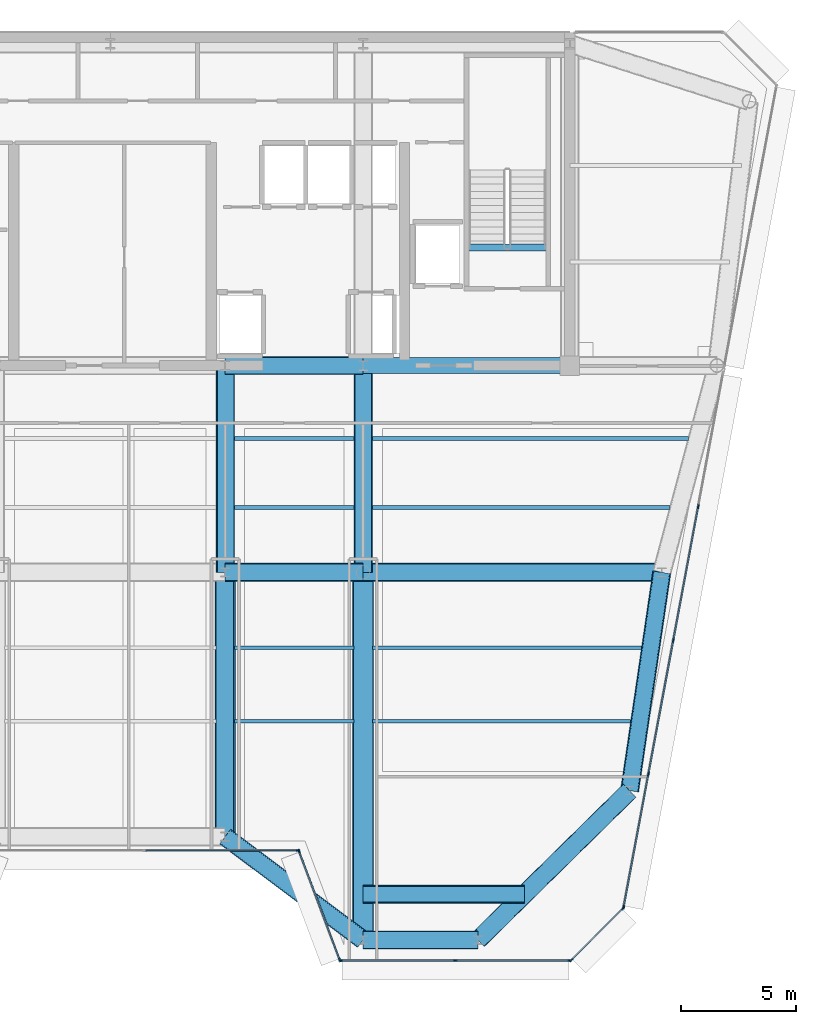
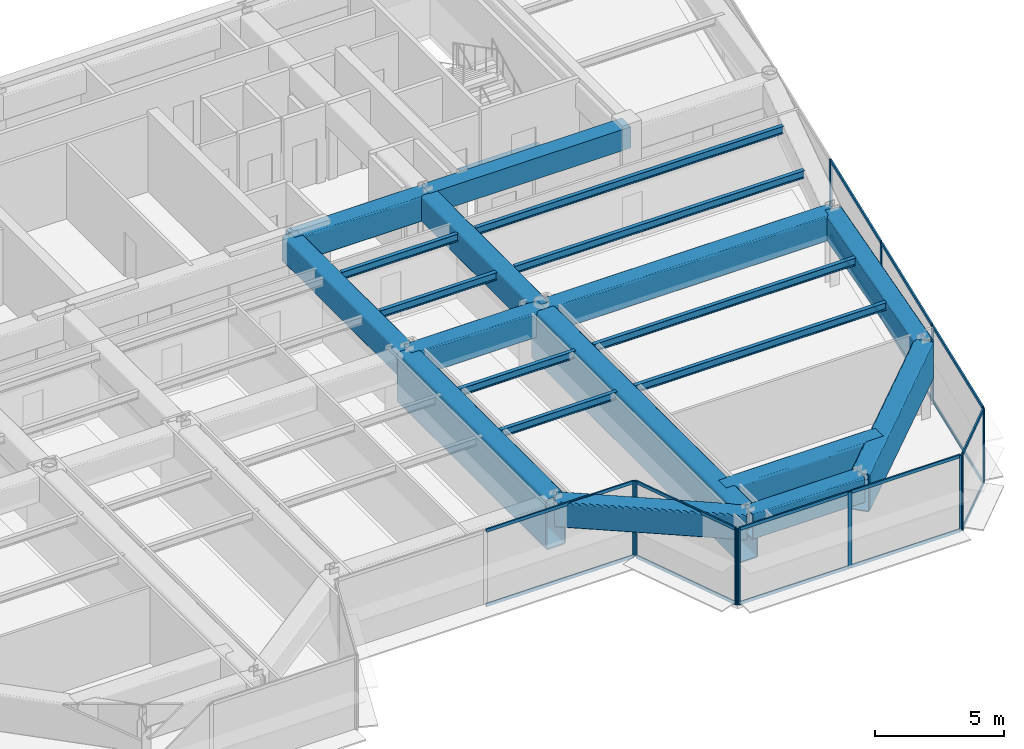
# One storey, part 5 of 18: 28 members, 22 beams, 5 elements without a shape of their own.
"""IFC4 building model written with IfcOpenShell, lengths in metres."""

from ifc_helpers import new_model, si_unit, direction, frame, origin, origin_2d, place, context, subcontext, project, spatial, rectangle, hollow_rectangle, i_section, extrude, source, transform, mapped, material, layer, layer_set, material_profile, profile_set, type_object, element, aggregate, save


model = new_model("IFC4")

# Units and contexts
model_context = context("Model", 3, precision=1e-05, world=origin(), true_north=direction((0.0, 1.0)))
body_context = subcontext(model_context, "Body", "Model", "MODEL_VIEW")
ifc_project = project(units=[si_unit("LENGTHUNIT", "METRE"), si_unit("AREAUNIT", "SQUARE_METRE"), si_unit("VOLUMEUNIT", "CUBIC_METRE"), si_unit("PLANEANGLEUNIT", "RADIAN"), si_unit("MASSUNIT", "GRAM", prefix="KILO")], contexts=[model_context])

# Site, building, storey
site_placement = place(None, origin())
site = spatial("IfcSite", under=ifc_project, at=site_placement, CompositionType="ELEMENT")
building_placement = place(site_placement, origin())
building = spatial("IfcBuilding", under=site, at=building_placement, Name="Vaeldorn Concourse Tower", CompositionType="ELEMENT")
storey_placement = place(building_placement, frame((0.0, 0.0, 265.0)))
storey = spatial("IfcBuildingStorey", under=building, at=storey_placement, Name="L68", CompositionType="ELEMENT", Elevation=265.0)

# Beams
ifc_material_1 = material(Name="Concrete C50/60", Category="concrete")
ifc_material_profile_1 = material_profile(ifc_material_1, rectangle(XDim=0.699951171875, YDim=1.0, at=origin_2d()), Name="RC 700x1000")
ifc_profile_set_1 = profile_set([ifc_material_profile_1], Name="Concrete C50/60")
beam_type_1 = type_object("IfcBeamType", Name="BM-CB-RC700", PredefinedType="BEAM", material=ifc_profile_set_1)
shared_shape_1 = source(origin(), body_context, "Body", "SweptSolid", [
    extrude(rectangle(XDim=0.699951171875, YDim=1.0, at=origin_2d()), origin(), (0.0, 0.0, 1.0), 9.0),
])
beam_1_placement = place(storey_placement, frame((45.0, 36.5, 3.080078125), z_axis=(1.0, 0.0, 0.0), x_axis=(0.0, 1.0, 0.0)))
element("IfcBeam", 1, at=beam_1_placement, inside=storey, type_object=beam_type_1, Name="Core Coupling Beam L68-2", PredefinedType="BEAM", context=body_context, shape_type="MappedRepresentation", body=[
    mapped(shared_shape_1, transform((0.0, 0.0, 0.0), scale=1.0)),
])
ifc_material_2 = material(Name="Steel S355", Category="steel")
ifc_material_profile_2 = material_profile(ifc_material_2, i_section(OverallWidth=0.300048828125, OverallDepth=0.340087890625, WebThickness=0.011962890625, FlangeThickness=0.021484375, FilletRadius=0.027099609375, at=origin_2d()), Name="HEB 340")
ifc_profile_set_2 = profile_set([ifc_material_profile_2], Name="Steel S355")
beam_type_2 = type_object("IfcBeamType", Name="BM-ST-TRIM", PredefinedType="BEAM", material=ifc_profile_set_2)
shared_shape_2 = source(origin(), body_context, "Body", "SweptSolid", [
    extrude(i_section(OverallWidth=0.300048828125, OverallDepth=0.340087890625, WebThickness=0.011962890625, FlangeThickness=0.021484375, FilletRadius=0.027099609375, at=origin_2d()), origin(), (0.0, 0.0, 1.0), 3.590087890625),
])
beam_2_placement = place(storey_placement, frame((49.47998046875, 41.639892578125, -0.389892578125), z_axis=(1.0, 0.0, 0.0), x_axis=(0.0, 1.0, 0.0)))
element("IfcBeam", 2, at=beam_2_placement, inside=storey, type_object=beam_type_2, Name="Stair Landing Trimmer Beam ST-2 L68", PredefinedType="BEAM", context=body_context, shape_type="MappedRepresentation", body=[
    mapped(shared_shape_2, transform((0.0, 0.0, 0.0), scale=1.0)),
])
ifc_material_3 = material(Name="Steel S460", Category="steel")
ifc_material_profile_3 = material_profile(ifc_material_3, hollow_rectangle(XDim=0.800048828125, YDim=1.199951171875, WallThickness=0.044921875, InnerFilletRadius=0.044921875, OuterFilletRadius=0.090087890625, at=origin_2d()), Name="RHS 1200x800x45")
ifc_profile_set_3 = profile_set([ifc_material_profile_3], Name="Steel S460")
beam_type_3 = type_object("IfcBeamType", Name="BM-TG-RHS1200", PredefinedType="BEAM", material=ifc_profile_set_3)
shared_shape_3 = source(origin(), body_context, "Body", "SweptSolid", [
    extrude(hollow_rectangle(XDim=0.800048828125, YDim=1.199951171875, WallThickness=0.044921875, InnerFilletRadius=0.044921875, OuterFilletRadius=0.090087890625, at=origin_2d()), origin(), (0.0, 0.0, 1.0), 6.0),
])
for number, where, z_axis, x_axis, name in (
    (3, (39.0, 36.5, 2.97998046875), (1.0, 0.0, 0.0), (0.0, 1.0, 0.0), "Beam BM-L68-C-FC4-C-FC5"),
    (4, (39.0, 27.5, 2.97998046875), (1.0, 0.0, 0.0), (0.0, 1.0, 0.0), "Beam BM-L68-C-TW3-C-TW4"),
):
    element("IfcBeam", number, at=place(storey_placement, frame(where, z_axis=z_axis, x_axis=x_axis)), inside=storey, type_object=beam_type_3, Name=name, PredefinedType="BEAM", context=body_context, shape_type="MappedRepresentation", body=[
        mapped(shared_shape_3, transform((0.0, 0.0, 0.0), scale=1.0)),
    ])
shared_shape_4 = source(origin(), body_context, "Body", "SweptSolid", [
    extrude(hollow_rectangle(XDim=0.800048828125, YDim=1.199951171875, WallThickness=0.044921875, InnerFilletRadius=0.044921875, OuterFilletRadius=0.090087890625, at=origin_2d()), origin(), (0.0, 0.0, 1.0), 9.0),
])
for number, where, z_axis, x_axis, name in (
    (5, (39.0, 27.5, 2.97998046875), (0.0, 1.0, 0.0), (-1.0, 0.0, 0.0), "Beam BM-L68-C-TW3-C-FC4"),
    (6, (45.0, 27.5, 2.97998046875), (0.0, 1.0, 0.0), (-1.0, 0.0, 0.0), "Beam BM-L68-C-TW4-C-FC5"),
):
    element("IfcBeam", number, at=place(storey_placement, frame(where, z_axis=z_axis, x_axis=x_axis)), inside=storey, type_object=beam_type_3, Name=name, PredefinedType="BEAM", context=body_context, shape_type="MappedRepresentation", body=[
        mapped(shared_shape_4, transform((0.0, 0.0, 0.0), scale=1.0)),
    ])
shared_shape_5 = source(origin(), body_context, "Body", "SweptSolid", [
    extrude(hollow_rectangle(XDim=0.800048828125, YDim=1.199951171875, WallThickness=0.044921875, InnerFilletRadius=0.044921875, OuterFilletRadius=0.090087890625, at=origin_2d()), origin(), (0.0, 0.0, 1.0), 13.0),
])
beam_3_placement = place(storey_placement, frame((45.0, 27.5, 2.97998046875), z_axis=(1.0, 0.0, 0.0), x_axis=(0.0, 1.0, 0.0)))
element("IfcBeam", 7, at=beam_3_placement, inside=storey, type_object=beam_type_3, Name="Beam BM-L68-C-TW4-C-FLE1", PredefinedType="BEAM", context=body_context, shape_type="MappedRepresentation", body=[
    mapped(shared_shape_5, transform((0.0, 0.0, 0.0), scale=1.0)),
])
shared_shape_6 = source(origin(), body_context, "Body", "SweptSolid", [
    extrude(hollow_rectangle(XDim=0.800048828125, YDim=1.199951171875, WallThickness=0.044921875, InnerFilletRadius=0.044921875, OuterFilletRadius=0.090087890625, at=origin_2d()), origin(), (0.0, 0.0, 1.0), 5.0),
])
beam_4_placement = place(storey_placement, frame((45.0, 11.5, 2.97998046875), z_axis=(1.0, 0.0, 0.0), x_axis=(0.0, 1.0, 0.0)))
element("IfcBeam", 8, at=beam_4_placement, inside=storey, type_object=beam_type_3, Name="Beam BM-L68-C-SF5-C-SF6", PredefinedType="BEAM", context=body_context, shape_type="MappedRepresentation", body=[
    mapped(shared_shape_6, transform((0.0, 0.0, 0.0), scale=1.0)),
])
shared_shape_7 = source(origin(), body_context, "Body", "SweptSolid", [
    extrude(hollow_rectangle(XDim=0.800048828125, YDim=1.199951171875, WallThickness=0.044921875, InnerFilletRadius=0.044921875, OuterFilletRadius=0.090087890625, at=origin_2d()), origin(), (0.0, 0.0, 1.0), 7.5),
])
beam_5_placement = place(storey_placement, frame((39.0, 16.0, 2.97998046875), z_axis=(0.8, -0.6, 0.0), x_axis=(0.6, 0.8, 0.0)))
element("IfcBeam", 9, at=beam_5_placement, inside=storey, type_object=beam_type_3, Name="Beam BM-L68-C-SF4-C-SF5", PredefinedType="BEAM", context=body_context, shape_type="MappedRepresentation", body=[
    mapped(shared_shape_7, transform((0.0, 0.0, 0.0), scale=1.0)),
])
shared_shape_8 = source(origin(), body_context, "Body", "SweptSolid", [
    extrude(hollow_rectangle(XDim=0.800048828125, YDim=1.199951171875, WallThickness=0.044921875, InnerFilletRadius=0.044921875, OuterFilletRadius=0.090087890625, at=origin_2d()), origin(), (0.0, 0.0, 1.0), 9.6025390625),
])
beam_6_placement = place(storey_placement, frame((58.0, 27.5, 2.97998046875), z_axis=(-0.145783835977, -0.989316467652, 0.0), x_axis=(0.989316467652, -0.145783835977, 0.0)))
element("IfcBeam", 10, at=beam_6_placement, inside=storey, type_object=beam_type_3, Name="Beam BM-L68-C-FLE1-C-FLE2", PredefinedType="BEAM", context=body_context, shape_type="MappedRepresentation", body=[
    mapped(shared_shape_8, transform((0.0, 0.0, 0.0), scale=1.0)),
])
ifc_material_profile_4 = material_profile(ifc_material_3, hollow_rectangle(XDim=0.89990234375, YDim=2.39990234375, WallThickness=0.06005859375, InnerFilletRadius=0.06005859375, OuterFilletRadius=0.1201171875, at=origin_2d()), Name="RHS 2400x900x60")
ifc_profile_set_4 = profile_set([ifc_material_profile_4], Name="Steel S460")
beam_type_4 = type_object("IfcBeamType", Name="BM-TG-BOX2400", PredefinedType="BEAM", material=ifc_profile_set_4)
shared_shape_9 = source(origin(), body_context, "Body", "SweptSolid", [
    extrude(hollow_rectangle(XDim=0.89990234375, YDim=2.39990234375, WallThickness=0.06005859375, InnerFilletRadius=0.06005859375, OuterFilletRadius=0.1201171875, at=origin_2d()), origin(), (0.0, 0.0, 1.0), 11.5),
])
beam_7_placement = place(storey_placement, frame((39.0, 16.0, 2.3798828125), z_axis=(0.0, 1.0, 0.0), x_axis=(-1.0, 0.0, 0.0)))
element("IfcBeam", 11, at=beam_7_placement, inside=storey, type_object=beam_type_4, Name="Beam BM-SETBACK-L68-C-SF4", PredefinedType="BEAM", context=body_context, shape_type="MappedRepresentation", body=[
    mapped(shared_shape_9, transform((0.0, 0.0, 0.0), scale=1.0)),
])
shared_shape_10 = source(origin(), body_context, "Body", "SweptSolid", [
    extrude(hollow_rectangle(XDim=0.89990234375, YDim=2.39990234375, WallThickness=0.06005859375, InnerFilletRadius=0.06005859375, OuterFilletRadius=0.1201171875, at=origin_2d()), origin(), (0.0, 0.0, 1.0), 16.0),
])
beam_8_placement = place(storey_placement, frame((45.0, 11.5, 2.3798828125), z_axis=(0.0, 1.0, 0.0), x_axis=(-1.0, 0.0, 0.0)))
element("IfcBeam", 12, at=beam_8_placement, inside=storey, type_object=beam_type_4, Name="Beam BM-SETBACK-L68-C-SF5", PredefinedType="BEAM", context=body_context, shape_type="MappedRepresentation", body=[
    mapped(shared_shape_10, transform((0.0, 0.0, 0.0), scale=1.0)),
])
ifc_material_profile_5 = material_profile(ifc_material_3, hollow_rectangle(XDim=0.800048828125, YDim=1.800048828125, WallThickness=0.050048828125, InnerFilletRadius=0.050048828125, OuterFilletRadius=0.10009765625, at=origin_2d()), Name="RHS 1800x800x50")
ifc_profile_set_5 = profile_set([ifc_material_profile_5], Name="Steel S460")
beam_type_5 = type_object("IfcBeamType", Name="BM-TG-BOX1800", PredefinedType="BEAM", material=ifc_profile_set_5)
shared_shape_11 = source(origin(), body_context, "Body", "SweptSolid", [
    extrude(hollow_rectangle(XDim=0.800048828125, YDim=1.800048828125, WallThickness=0.050048828125, InnerFilletRadius=0.050048828125, OuterFilletRadius=0.10009765625, at=origin_2d()), origin(), (0.0, 0.0, 1.0), 9.263427734375),
])
beam_9_placement = place(storey_placement, frame((50.0, 11.5, 2.679931640625), z_axis=(0.71248897494, 0.701683305053, 0.0), x_axis=(-0.701683305053, 0.71248897494, 0.0)))
element("IfcBeam", 13, at=beam_9_placement, inside=storey, type_object=beam_type_5, Name="Beam BM-SETBACK-FL-L68-C-SF6", PredefinedType="BEAM", context=body_context, shape_type="MappedRepresentation", body=[
    mapped(shared_shape_11, transform((0.0, 0.0, 0.0), scale=1.0)),
])
shared_shape_12 = source(origin(), body_context, "Body", "SweptSolid", [
    extrude(hollow_rectangle(XDim=0.800048828125, YDim=1.800048828125, WallThickness=0.050048828125, InnerFilletRadius=0.050048828125, OuterFilletRadius=0.10009765625, at=origin_2d()), origin(), (0.0, 0.0, 1.0), 7.03076171875),
])
beam_10_placement = place(storey_placement, frame((52.03076171875, 13.5, 2.679931640625), z_axis=(-1.0, 0.0, 0.0), x_axis=(0.0, -1.0, 0.0)))
element("IfcBeam", 14, at=beam_10_placement, inside=storey, type_object=beam_type_5, Name="Beam BM-SETBACK-EW-L68-C-SF6", PredefinedType="BEAM", context=body_context, shape_type="MappedRepresentation", body=[
    mapped(shared_shape_12, transform((0.0, 0.0, 0.0), scale=1.0)),
])
ifc_material_profile_6 = material_profile(ifc_material_2, i_section(OverallWidth=0.169921875, OverallDepth=0.360107421875, WebThickness=0.008056640625, FlangeThickness=0.0126953125, FilletRadius=0.01806640625, at=origin_2d()), Name="IPE 360")
ifc_profile_set_6 = profile_set([ifc_material_profile_6], Name="Steel S355")
beam_type_6 = type_object("IfcBeamType", Name="BM-JS-IPE360", PredefinedType="JOIST", material=ifc_profile_set_6)
shared_shape_13 = source(origin(), body_context, "Body", "SweptSolid", [
    extrude(i_section(OverallWidth=0.169921875, OverallDepth=0.360107421875, WebThickness=0.008056640625, FlangeThickness=0.0126953125, FilletRadius=0.01806640625, at=origin_2d()), origin(), (0.0, 0.0, 1.0), 11.2451171875),
])
beam_11_placement = place(storey_placement, frame((45.39990234375, 21.02001953125, 3.39990234375), z_axis=(1.0, 0.0, 0.0), x_axis=(0.0, 1.0, 0.0)))
element("IfcBeam", 15, at=beam_11_placement, inside=storey, type_object=beam_type_6, Name="Beam JS-L68-E1-210", PredefinedType="JOIST", context=body_context, shape_type="MappedRepresentation", body=[
    mapped(shared_shape_13, transform((0.0, 0.0, 0.0), scale=1.0)),
])
shared_shape_14 = source(origin(), body_context, "Body", "SweptSolid", [
    extrude(i_section(OverallWidth=0.169921875, OverallDepth=0.360107421875, WebThickness=0.008056640625, FlangeThickness=0.0126953125, FilletRadius=0.01806640625, at=origin_2d()), origin(), (0.0, 0.0, 1.0), 5.2001953125),
])
for number, where, z_axis, x_axis, name in (
    (16, (39.39990234375, 21.02001953125, 3.39990234375), (1.0, 0.0, 0.0), (0.0, 1.0, 0.0), "Beam JS-L68-E2-210"),
    (17, (39.39990234375, 24.219970703125, 3.39990234375), (1.0, 0.0, 0.0), (0.0, 1.0, 0.0), "Beam JS-L68-E2-242"),
    (18, (39.39990234375, 30.320068359375, 3.39990234375), (1.0, 0.0, 0.0), (0.0, 1.0, 0.0), "Beam JS-L68-E2-303"),
    (19, (39.39990234375, 33.320068359375, 3.39990234375), (1.0, 0.0, 0.0), (0.0, 1.0, 0.0), "Beam JS-L68-E2-333"),
):
    element("IfcBeam", number, at=place(storey_placement, frame(where, z_axis=z_axis, x_axis=x_axis)), inside=storey, type_object=beam_type_6, Name=name, PredefinedType="JOIST", context=body_context, shape_type="MappedRepresentation", body=[
        mapped(shared_shape_14, transform((0.0, 0.0, 0.0), scale=1.0)),
    ])
shared_shape_15 = source(origin(), body_context, "Body", "SweptSolid", [
    extrude(i_section(OverallWidth=0.169921875, OverallDepth=0.360107421875, WebThickness=0.008056640625, FlangeThickness=0.0126953125, FilletRadius=0.01806640625, at=origin_2d()), origin(), (0.0, 0.0, 1.0), 11.716796875),
])
beam_12_placement = place(storey_placement, frame((45.39990234375, 24.219970703125, 3.39990234375), z_axis=(1.0, 0.0, 0.0), x_axis=(0.0, 1.0, 0.0)))
element("IfcBeam", 20, at=beam_12_placement, inside=storey, type_object=beam_type_6, Name="Beam JS-L68-E1-242", PredefinedType="JOIST", context=body_context, shape_type="MappedRepresentation", body=[
    mapped(shared_shape_15, transform((0.0, 0.0, 0.0), scale=1.0)),
])
shared_shape_16 = source(origin(), body_context, "Body", "SweptSolid", [
    extrude(i_section(OverallWidth=0.169921875, OverallDepth=0.360107421875, WebThickness=0.008056640625, FlangeThickness=0.0126953125, FilletRadius=0.01806640625, at=origin_2d()), origin(), (0.0, 0.0, 1.0), 12.9521484375),
])
beam_13_placement = place(storey_placement, frame((45.39990234375, 30.320068359375, 3.39990234375), z_axis=(1.0, 0.0, 0.0), x_axis=(0.0, 1.0, 0.0)))
element("IfcBeam", 21, at=beam_13_placement, inside=storey, type_object=beam_type_6, Name="Beam JS-L68-E1-303", PredefinedType="JOIST", context=body_context, shape_type="MappedRepresentation", body=[
    mapped(shared_shape_16, transform((0.0, 0.0, 0.0), scale=1.0)),
])
shared_shape_17 = source(origin(), body_context, "Body", "SweptSolid", [
    extrude(i_section(OverallWidth=0.169921875, OverallDepth=0.360107421875, WebThickness=0.008056640625, FlangeThickness=0.0126953125, FilletRadius=0.01806640625, at=origin_2d()), origin(), (0.0, 0.0, 1.0), 13.752197265625),
])
beam_14_placement = place(storey_placement, frame((45.39990234375, 33.320068359375, 3.39990234375), z_axis=(1.0, 0.0, 0.0), x_axis=(0.0, 1.0, 0.0)))
element("IfcBeam", 22, at=beam_14_placement, inside=storey, type_object=beam_type_6, Name="Beam JS-L68-E1-333", PredefinedType="JOIST", context=body_context, shape_type="MappedRepresentation", body=[
    mapped(shared_shape_17, transform((0.0, 0.0, 0.0), scale=1.0)),
])

# Curtain wall, members
ifc_material_4 = material(Name="Anodised Bronze Aluminium", Category="aluminium")
ifc_layer = layer(ifc_material_4, 0.179931640625)
ifc_layer_set = layer_set([ifc_layer], Name="Anodised Bronze Aluminium")
curtain_wall_type = type_object("IfcCurtainWallType", Name="CW-SYS-05", PredefinedType="NOTDEFINED", material=ifc_layer_set)
curtain_wall_1_placement = place(storey_placement, origin())
curtain_wall_1 = element("IfcCurtainWall", 23, at=curtain_wall_1_placement, inside=storey, type_object=curtain_wall_type, Name="Unitised Curtain Wall CW-L68-E04-1", PredefinedType="NOTDEFINED")
ifc_material_profile_7 = material_profile(ifc_material_4, rectangle(XDim=0.06494140625, YDim=0.14990234375, at=origin_2d()), Name="CWT 65x150")
ifc_profile_set_7 = profile_set([ifc_material_profile_7], Name="Anodised Bronze Aluminium")
member_type_1 = type_object("IfcMemberType", Name="CWT-BRONZE-150", PredefinedType="USERDEFINED", material=ifc_profile_set_7)
shared_shape_18 = source(origin(), body_context, "Body", "SweptSolid", [
    extrude(rectangle(XDim=0.06494140625, YDim=0.14990234375, at=origin_2d()), origin(), (0.0, 0.0, 1.0), 4.996337890625),
])
member_1_placement = place(storey_placement, frame((42.222900390625, 15.339111328125, 0.032470703125), z_axis=(0.351134151405, -0.936325161318, 0.0), x_axis=(0.936325161318, 0.351134151405, 0.0)))
member_1 = element("IfcMember", 24, at=member_1_placement, type_object=member_type_1, Name="CW-05 transom 1.1", ObjectType="TRANSOM", PredefinedType="USERDEFINED", context=body_context, shape_type="MappedRepresentation", body=[
    mapped(shared_shape_18, transform((0.0, 0.0, 0.0), scale=1.0)),
])
member_2_placement = place(storey_placement, frame((42.222900390625, 15.339111328125, 3.547607421875), z_axis=(0.351134151405, -0.936325161318, 0.0), x_axis=(0.936325161318, 0.351134151405, 0.0)))
member_2 = element("IfcMember", 25, at=member_2_placement, type_object=member_type_1, Name="CW-05 transom 1.2", ObjectType="TRANSOM", PredefinedType="USERDEFINED", context=body_context, shape_type="MappedRepresentation", body=[
    mapped(shared_shape_18, transform((0.0, 0.0, 0.0), scale=1.0)),
])

curtain_wall_2_placement = place(storey_placement, origin())
curtain_wall_2 = element("IfcCurtainWall", 26, at=curtain_wall_2_placement, inside=storey, type_object=curtain_wall_type, Name="Unitised Curtain Wall CW-L68-E03-1", PredefinedType="NOTDEFINED")
shared_shape_19 = source(origin(), body_context, "Body", "SweptSolid", [
    extrude(rectangle(XDim=0.06494140625, YDim=0.14990234375, at=origin_2d()), origin(), (0.0, 0.0, 1.0), 6.6025390625),
])
member_3_placement = place(storey_placement, frame((35.532470703125, 15.39990234375, 0.032470703125), z_axis=(1.0, 0.0, 0.0), x_axis=(0.0, 1.0, 0.0)))
member_3 = element("IfcMember", 27, at=member_3_placement, type_object=member_type_1, Name="CW-05 transom 2.1", ObjectType="TRANSOM", PredefinedType="USERDEFINED", context=body_context, shape_type="MappedRepresentation", body=[
    mapped(shared_shape_19, transform((0.0, 0.0, 0.0), scale=1.0)),
])
member_4_placement = place(storey_placement, frame((35.532470703125, 15.39990234375, 3.547607421875), z_axis=(1.0, 0.0, 0.0), x_axis=(0.0, 1.0, 0.0)))
member_4 = element("IfcMember", 28, at=member_4_placement, type_object=member_type_1, Name="CW-05 transom 2.2", ObjectType="TRANSOM", PredefinedType="USERDEFINED", context=body_context, shape_type="MappedRepresentation", body=[
    mapped(shared_shape_19, transform((0.0, 0.0, 0.0), scale=1.0)),
])

curtain_wall_3_placement = place(storey_placement, origin())
curtain_wall_3 = element("IfcCurtainWall", 29, at=curtain_wall_3_placement, inside=storey, type_object=curtain_wall_type, Name="Unitised Curtain Wall CW-L68-E06-1", PredefinedType="NOTDEFINED")
shared_shape_20 = source(origin(), body_context, "Body", "SweptSolid", [
    extrude(rectangle(XDim=0.06494140625, YDim=0.14990234375, at=origin_2d()), origin(), (0.0, 0.0, 1.0), 3.12255859375),
])
member_5_placement = place(storey_placement, frame((54.080078125, 10.64599609375, 0.032470703125), z_axis=(0.707106781187, 0.707106781187, 0.0), x_axis=(-0.707106781187, 0.707106781187, 0.0)))
member_5 = element("IfcMember", 30, at=member_5_placement, type_object=member_type_1, Name="CW-05 transom 1.1", ObjectType="TRANSOM", PredefinedType="USERDEFINED", context=body_context, shape_type="MappedRepresentation", body=[
    mapped(shared_shape_20, transform((0.0, 0.0, 0.0), scale=1.0)),
])
member_6_placement = place(storey_placement, frame((54.080078125, 10.64599609375, 3.547607421875), z_axis=(0.707106781187, 0.707106781187, 0.0), x_axis=(-0.707106781187, 0.707106781187, 0.0)))
member_6 = element("IfcMember", 31, at=member_6_placement, type_object=member_type_1, Name="CW-05 transom 1.2", ObjectType="TRANSOM", PredefinedType="USERDEFINED", context=body_context, shape_type="MappedRepresentation", body=[
    mapped(shared_shape_20, transform((0.0, 0.0, 0.0), scale=1.0)),
])

# Member
ifc_material_profile_8 = material_profile(ifc_material_4, rectangle(XDim=0.06494140625, YDim=0.169921875, at=origin_2d()), Name="CWM 65x170")
ifc_profile_set_8 = profile_set([ifc_material_profile_8], Name="Anodised Bronze Aluminium")
member_type_2 = type_object("IfcMemberType", Name="CWM-BRONZE-170", PredefinedType="MULLION", material=ifc_profile_set_8)
shared_shape_21 = source(origin(), body_context, "Body", "SweptSolid", [
    extrude(rectangle(XDim=0.06494140625, YDim=0.169921875, at=origin_2d()), origin(), (0.0, 0.0, 1.0), 3.580078125),
])
member_7_placement = place(storey_placement, frame((42.16748046875, 15.39990234375, 0.0), z_axis=(0.0, 0.0, 1.0), x_axis=(0.0, 1.0, 0.0)))
member_7 = element("IfcMember", 32, at=member_7_placement, type_object=member_type_2, Name="CW-05 mullion 3", PredefinedType="MULLION", context=body_context, shape_type="MappedRepresentation", body=[
    mapped(shared_shape_21, transform((0.0, 0.0, 0.0), scale=1.0)),
])

aggregate(curtain_wall_2, [member_7, member_3, member_4])

member_8_placement = place(storey_placement, frame((42.21142578125, 15.36962890625, 0.0), z_axis=(0.0, 0.0, 1.0), x_axis=(0.936329177566, 0.351123441595, 0.0)))
member_8 = element("IfcMember", 33, at=member_8_placement, type_object=member_type_2, Name="CW-05 mullion 1", PredefinedType="MULLION", context=body_context, shape_type="MappedRepresentation", body=[
    mapped(shared_shape_21, transform((0.0, 0.0, 0.0), scale=1.0)),
])

member_9_placement = place(storey_placement, frame((43.988525390625, 10.63037109375, 0.0), z_axis=(0.0, 0.0, 1.0), x_axis=(0.936329177566, 0.351123441595, 0.0)))
member_9 = element("IfcMember", 34, at=member_9_placement, type_object=member_type_2, Name="CW-05 mullion 2", PredefinedType="MULLION", context=body_context, shape_type="MappedRepresentation", body=[
    mapped(shared_shape_21, transform((0.0, 0.0, 0.0), scale=1.0)),
])

aggregate(curtain_wall_1, [member_8, member_9, member_1, member_2])

# Curtain wall, members
curtain_wall_4_placement = place(storey_placement, origin())
curtain_wall_4 = element("IfcCurtainWall", 35, at=curtain_wall_4_placement, inside=storey, type_object=curtain_wall_type, Name="Unitised Curtain Wall CW-L68-E05-1", PredefinedType="NOTDEFINED")
member_10_placement = place(storey_placement, frame((44.032470703125, 10.60009765625, 0.0), z_axis=(0.0, 0.0, 1.0), x_axis=(0.0, 1.0, 0.0)))
member_10 = element("IfcMember", 36, at=member_10_placement, type_object=member_type_2, Name="CW-05 mullion 1", PredefinedType="MULLION", context=body_context, shape_type="MappedRepresentation", body=[
    mapped(shared_shape_21, transform((0.0, 0.0, 0.0), scale=1.0)),
])
member_11_placement = place(storey_placement, frame((49.01708984375, 10.60009765625, 0.0), z_axis=(0.0, 0.0, 1.0), x_axis=(0.0, 1.0, 0.0)))
member_11 = element("IfcMember", 37, at=member_11_placement, type_object=member_type_2, Name="CW-05 mullion 2", PredefinedType="MULLION", context=body_context, shape_type="MappedRepresentation", body=[
    mapped(shared_shape_21, transform((0.0, 0.0, 0.0), scale=1.0)),
])
member_12_placement = place(storey_placement, frame((54.00146484375, 10.60009765625, 0.0), z_axis=(0.0, 0.0, 1.0), x_axis=(0.0, 1.0, 0.0)))
member_12 = element("IfcMember", 38, at=member_12_placement, type_object=member_type_2, Name="CW-05 mullion 3", PredefinedType="MULLION", context=body_context, shape_type="MappedRepresentation", body=[
    mapped(shared_shape_21, transform((0.0, 0.0, 0.0), scale=1.0)),
])

# Member
member_13_placement = place(storey_placement, frame((54.056884765625, 10.623046875, 0.0), z_axis=(0.0, 0.0, 1.0), x_axis=(-0.707106781187, 0.707106781187, 0.0)))
member_13 = element("IfcMember", 39, at=member_13_placement, type_object=member_type_2, Name="CW-05 mullion 1", PredefinedType="MULLION", context=body_context, shape_type="MappedRepresentation", body=[
    mapped(shared_shape_21, transform((0.0, 0.0, 0.0), scale=1.0)),
])

member_14_placement = place(storey_placement, frame((56.31103515625, 12.876953125, 0.0), z_axis=(0.0, 0.0, 1.0), x_axis=(-0.707106781187, 0.707106781187, 0.0)))
member_14 = element("IfcMember", 40, at=member_14_placement, type_object=member_type_2, Name="CW-05 mullion 2", PredefinedType="MULLION", context=body_context, shape_type="MappedRepresentation", body=[
    mapped(shared_shape_21, transform((0.0, 0.0, 0.0), scale=1.0)),
])

aggregate(curtain_wall_3, [member_13, member_14, member_5, member_6])

# Curtain wall, members
curtain_wall_5_placement = place(storey_placement, origin())
curtain_wall_5 = element("IfcCurtainWall", 41, at=curtain_wall_5_placement, inside=storey, type_object=curtain_wall_type, Name="Unitised Curtain Wall CW-L68-E07-1", PredefinedType="NOTDEFINED")
member_15_placement = place(storey_placement, frame((56.33984375, 12.931884765625, 0.0), z_axis=(0.0, 0.0, 1.0), x_axis=(-0.983102653673, 0.18305510739, 0.0)))
member_15 = element("IfcMember", 42, at=member_15_placement, type_object=member_type_2, Name="CW-05 mullion 1", PredefinedType="MULLION", context=body_context, shape_type="MappedRepresentation", body=[
    mapped(shared_shape_21, transform((0.0, 0.0, 0.0), scale=1.0)),
])
member_16_placement = place(storey_placement, frame((57.41796875, 18.72119140625, 0.0), z_axis=(0.0, 0.0, 1.0), x_axis=(-0.983102653673, 0.18305510739, 0.0)))
member_16 = element("IfcMember", 43, at=member_16_placement, type_object=member_type_2, Name="CW-05 mullion 2", PredefinedType="MULLION", context=body_context, shape_type="MappedRepresentation", body=[
    mapped(shared_shape_21, transform((0.0, 0.0, 0.0), scale=1.0)),
])
member_17_placement = place(storey_placement, frame((58.501953125, 24.54248046875, 0.0), z_axis=(0.0, 0.0, 1.0), x_axis=(-0.983102653673, 0.18305510739, 0.0)))
member_17 = element("IfcMember", 44, at=member_17_placement, type_object=member_type_2, Name="CW-05 mullion 3", PredefinedType="MULLION", context=body_context, shape_type="MappedRepresentation", body=[
    mapped(shared_shape_21, transform((0.0, 0.0, 0.0), scale=1.0)),
])
member_18_placement = place(storey_placement, frame((59.585693359375, 30.36376953125, 0.0), z_axis=(0.0, 0.0, 1.0), x_axis=(-0.983102653673, 0.18305510739, 0.0)))
member_18 = element("IfcMember", 45, at=member_18_placement, type_object=member_type_2, Name="CW-05 mullion 4", PredefinedType="MULLION", context=body_context, shape_type="MappedRepresentation", body=[
    mapped(shared_shape_21, transform((0.0, 0.0, 0.0), scale=1.0)),
])
shared_shape_22 = source(origin(), body_context, "Body", "SweptSolid", [
    extrude(rectangle(XDim=0.06494140625, YDim=0.14990234375, at=origin_2d()), origin(), (0.0, 0.0, 1.0), 5.82373046875),
])
member_19_placement = place(storey_placement, frame((56.345947265625, 12.9638671875, 0.032470703125), z_axis=(0.183030414843, 0.983107251139, 0.0), x_axis=(-0.983107251139, 0.183030414843, 0.0)))
member_19 = element("IfcMember", 46, at=member_19_placement, type_object=member_type_1, Name="CW-05 transom 1.1", ObjectType="TRANSOM", PredefinedType="USERDEFINED", context=body_context, shape_type="MappedRepresentation", body=[
    mapped(shared_shape_22, transform((0.0, 0.0, 0.0), scale=1.0)),
])
member_20_placement = place(storey_placement, frame((56.345947265625, 12.9638671875, 3.547607421875), z_axis=(0.183030414843, 0.983107251139, 0.0), x_axis=(-0.983107251139, 0.183030414843, 0.0)))
member_20 = element("IfcMember", 47, at=member_20_placement, type_object=member_type_1, Name="CW-05 transom 1.2", ObjectType="TRANSOM", PredefinedType="USERDEFINED", context=body_context, shape_type="MappedRepresentation", body=[
    mapped(shared_shape_22, transform((0.0, 0.0, 0.0), scale=1.0)),
])
shared_shape_23 = source(origin(), body_context, "Body", "SweptSolid", [
    extrude(rectangle(XDim=0.06494140625, YDim=0.14990234375, at=origin_2d()), origin(), (0.0, 0.0, 1.0), 5.856201171875),
])
member_21_placement = place(storey_placement, frame((57.423828125, 18.753173828125, 0.032470703125), z_axis=(0.18305503402, 0.983102667334, 0.0), x_axis=(-0.983102667334, 0.18305503402, 0.0)))
member_21 = element("IfcMember", 48, at=member_21_placement, type_object=member_type_1, Name="CW-05 transom 2.1", ObjectType="TRANSOM", PredefinedType="USERDEFINED", context=body_context, shape_type="MappedRepresentation", body=[
    mapped(shared_shape_23, transform((0.0, 0.0, 0.0), scale=1.0)),
])
member_22_placement = place(storey_placement, frame((57.423828125, 18.753173828125, 3.547607421875), z_axis=(0.18305503402, 0.983102667334, 0.0), x_axis=(-0.983102667334, 0.18305503402, 0.0)))
member_22 = element("IfcMember", 49, at=member_22_placement, type_object=member_type_1, Name="CW-05 transom 2.2", ObjectType="TRANSOM", PredefinedType="USERDEFINED", context=body_context, shape_type="MappedRepresentation", body=[
    mapped(shared_shape_23, transform((0.0, 0.0, 0.0), scale=1.0)),
])
member_23_placement = place(storey_placement, frame((58.5078125, 24.574462890625, 0.032470703125), z_axis=(0.18305503402, 0.983102667334, 0.0), x_axis=(-0.983102667334, 0.18305503402, 0.0)))
member_23 = element("IfcMember", 50, at=member_23_placement, type_object=member_type_1, Name="CW-05 transom 3.1", ObjectType="TRANSOM", PredefinedType="USERDEFINED", context=body_context, shape_type="MappedRepresentation", body=[
    mapped(shared_shape_23, transform((0.0, 0.0, 0.0), scale=1.0)),
])
member_24_placement = place(storey_placement, frame((58.5078125, 24.574462890625, 3.547607421875), z_axis=(0.18305503402, 0.983102667334, 0.0), x_axis=(-0.983102667334, 0.18305503402, 0.0)))
member_24 = element("IfcMember", 51, at=member_24_placement, type_object=member_type_1, Name="CW-05 transom 3.2", ObjectType="TRANSOM", PredefinedType="USERDEFINED", context=body_context, shape_type="MappedRepresentation", body=[
    mapped(shared_shape_23, transform((0.0, 0.0, 0.0), scale=1.0)),
])
aggregate(curtain_wall_5, [member_15, member_16, member_17, member_18, member_19, member_20, member_21, member_22, member_23, member_24])

# Member
shared_shape_24 = source(origin(), body_context, "Body", "SweptSolid", [
    extrude(rectangle(XDim=0.06494140625, YDim=0.14990234375, at=origin_2d()), origin(), (0.0, 0.0, 1.0), 4.919677734375),
])
member_25_placement = place(storey_placement, frame((44.06494140625, 10.60009765625, 0.032470703125), z_axis=(1.0, 0.0, 0.0), x_axis=(0.0, 1.0, 0.0)))
member_25 = element("IfcMember", 52, at=member_25_placement, type_object=member_type_1, Name="CW-05 transom 1.1", ObjectType="TRANSOM", PredefinedType="USERDEFINED", context=body_context, shape_type="MappedRepresentation", body=[
    mapped(shared_shape_24, transform((0.0, 0.0, 0.0), scale=1.0)),
])

member_26_placement = place(storey_placement, frame((44.06494140625, 10.60009765625, 3.547607421875), z_axis=(1.0, 0.0, 0.0), x_axis=(0.0, 1.0, 0.0)))
member_26 = element("IfcMember", 53, at=member_26_placement, type_object=member_type_1, Name="CW-05 transom 1.2", ObjectType="TRANSOM", PredefinedType="USERDEFINED", context=body_context, shape_type="MappedRepresentation", body=[
    mapped(shared_shape_24, transform((0.0, 0.0, 0.0), scale=1.0)),
])

shared_shape_25 = source(origin(), body_context, "Body", "SweptSolid", [
    extrude(rectangle(XDim=0.06494140625, YDim=0.14990234375, at=origin_2d()), origin(), (0.0, 0.0, 1.0), 4.91943359375),
])
member_27_placement = place(storey_placement, frame((49.049560546875, 10.60009765625, 0.032470703125), z_axis=(1.0, 0.0, 0.0), x_axis=(0.0, 1.0, 0.0)))
member_27 = element("IfcMember", 54, at=member_27_placement, type_object=member_type_1, Name="CW-05 transom 2.1", ObjectType="TRANSOM", PredefinedType="USERDEFINED", context=body_context, shape_type="MappedRepresentation", body=[
    mapped(shared_shape_25, transform((0.0, 0.0, 0.0), scale=1.0)),
])

member_28_placement = place(storey_placement, frame((49.049560546875, 10.60009765625, 3.547607421875), z_axis=(1.0, 0.0, 0.0), x_axis=(0.0, 1.0, 0.0)))
member_28 = element("IfcMember", 55, at=member_28_placement, type_object=member_type_1, Name="CW-05 transom 2.2", ObjectType="TRANSOM", PredefinedType="USERDEFINED", context=body_context, shape_type="MappedRepresentation", body=[
    mapped(shared_shape_25, transform((0.0, 0.0, 0.0), scale=1.0)),
])

aggregate(curtain_wall_4, [member_10, member_11, member_12, member_25, member_26, member_27, member_28])

save(model, "model.ifc")
